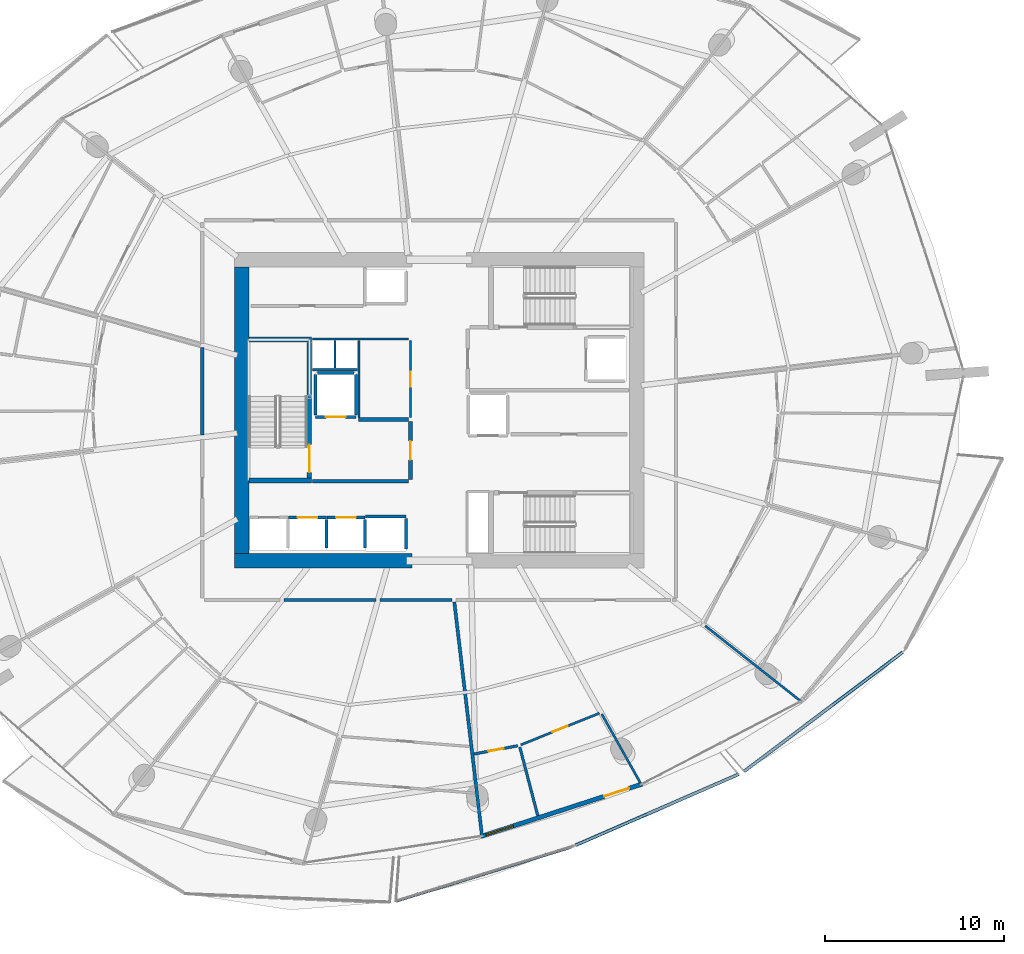
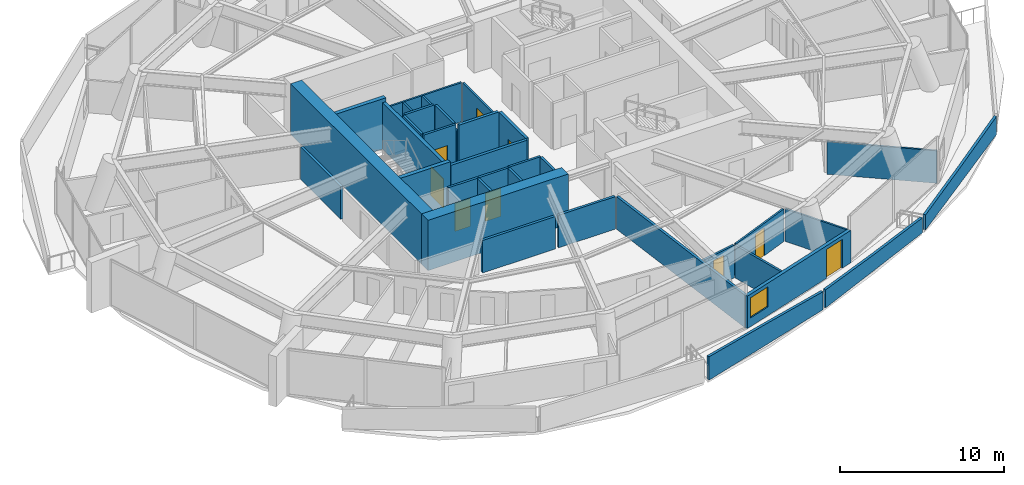
# One storey, part 12 of 23: 36 walls, 9 doors, 1 window, 10 openings.
"""IFC4 building model written with IfcOpenShell, lengths in metres."""

from ifc_helpers import new_model, si_unit, direction, frame, frame_2d, origin, place, context, subcontext, project, spatial, polyline, rectangle, outline, extrude, material, layer, layer_set, type_object, element, fill, save


model = new_model("IFC4")

# Units and contexts
model_context = context("Model", 3, precision=1e-05, world=origin(), true_north=direction((0.0, 1.0)))
body_context = subcontext(model_context, "Body", "Model", "MODEL_VIEW")
ifc_project = project(units=[si_unit("LENGTHUNIT", "METRE"), si_unit("AREAUNIT", "SQUARE_METRE"), si_unit("VOLUMEUNIT", "CUBIC_METRE"), si_unit("PLANEANGLEUNIT", "RADIAN"), si_unit("MASSUNIT", "GRAM", prefix="KILO")], contexts=[model_context])

# Site, building, storey
site_placement = place(None, origin())
site = spatial("IfcSite", under=ifc_project, at=site_placement, CompositionType="ELEMENT")
building_placement = place(site_placement, origin())
building = spatial("IfcBuilding", under=site, at=building_placement, Name="Kazma Halo Residences", CompositionType="ELEMENT")
storey_placement = place(building_placement, frame((0.0, 0.0, 112.64990234375)))
storey = spatial("IfcBuildingStorey", under=building, at=storey_placement, Name="L28", CompositionType="ELEMENT", Elevation=112.64990234375)

# Walls
ifc_material_1 = material(Name="White Concrete C50/60 Balustrade", Category="concrete")
ifc_layer_1 = layer(ifc_material_1, 0.179931640625)
ifc_layer_set_1 = layer_set([ifc_layer_1], Name="White Concrete C50/60 Balustrade")
wall_type_1 = type_object("IfcWallType", Name="WL-BAL-WAVE-180", PredefinedType="PARAPET", material=ifc_layer_set_1)
wall_1_placement = place(storey_placement, frame((46.011474609375, 14.594482421875, 0.0), z_axis=(0.0, 0.0, 1.0), x_axis=(0.955530222606, 0.294893190301, 0.0)))
element("IfcWall", 1, at=wall_1_placement, inside=storey, type_object=wall_type_1, Name="L28 white wave balustrade wall SSE.1", PredefinedType="PARAPET", context=body_context, shape_type="SweptSolid", body=[
    extrude(outline(polyline([(0.0, 0.0), (10.240966796875, 0.0), (10.240966796875, 1.34814453125), (5.12060546875, 1.56201171875), (0.0, 1.7470703125), (0.0, 0.0)])), frame((0.0, 0.08984375, 0.0), z_axis=(0.0, -1.0, 0.0), x_axis=(1.0, 0.0, 0.0)), (0.0, 0.0, 1.0), 0.179931640625),
])
wall_2_placement = place(storey_placement, frame((56.021728515625, 17.69775390625, 0.0), z_axis=(0.0, 0.0, 1.0), x_axis=(0.916910512906, 0.399092860527, 0.0)))
element("IfcWall", 2, at=wall_2_placement, inside=storey, type_object=wall_type_1, Name="L28 white wave balustrade wall SSE.2", PredefinedType="PARAPET", context=body_context, shape_type="SweptSolid", body=[
    extrude(outline(polyline([(0.0, 0.0), (9.954833984375, 0.0), (9.95458984375, 1.1201171875), (4.977294921875, 1.18212890625), (0.0, 1.34814453125), (0.0, 0.0)])), frame((0.0, 0.08984375, 0.0), z_axis=(0.0, -1.0, 0.0), x_axis=(1.0, 0.0, 0.0)), (0.0, 0.0, 1.0), 0.179931640625),
])
wall_3_placement = place(storey_placement, frame((65.44580078125, 21.82470703125, 0.0), z_axis=(0.0, 0.0, 1.0), x_axis=(0.799377932659, 0.600828528598, 0.0)))
element("IfcWall", 3, at=wall_3_placement, inside=storey, type_object=wall_type_1, Name="L28 white wave balustrade wall SE.1", PredefinedType="PARAPET", context=body_context, shape_type="SweptSolid", body=[
    extrude(outline(polyline([(0.0, 0.0), (11.0751953125, 0.0), (11.075439453125, 1.34814453125), (5.53759765625, 1.18212890625), (0.0, 1.1201171875), (0.0, 0.0)])), frame((0.0, 0.08984375, 0.0), z_axis=(0.0, -1.0, 0.0), x_axis=(1.0, 0.0, 0.0)), (0.0, 0.0, 1.0), 0.179931640625),
])
ifc_material_2 = material(Name="Concrete C80/95", Category="concrete")
ifc_layer_2 = layer(ifc_material_2, 0.800048828125)
ifc_layer_set_2 = layer_set([ifc_layer_2], Name="Concrete C80/95")
wall_type_2 = type_object("IfcWallType", Name="WL-CORE-800", PredefinedType="SHEAR", material=ifc_layer_set_2)
wall_4_placement = place(storey_placement, frame((37.0, 33.60009765625, 0.0), z_axis=(0.0, 0.0, 1.0), x_axis=(1.0, 0.0, 0.0)))
element("IfcWall", 4, at=wall_4_placement, inside=storey, type_object=wall_type_2, Name="L28 central core shear wall SW", PredefinedType="SHEAR", context=body_context, shape_type="SweptSolid", body=[
    extrude(rectangle(XDim=9.89990234375, YDim=0.800048828125, at=frame_2d((4.949951171875, 0.0))), origin(), (0.0, 0.0, 1.0), 3.75),
])
wall_5_placement = place(storey_placement, frame((37.39990234375, 34.0, 0.0), z_axis=(0.0, 0.0, 1.0), x_axis=(0.0, 1.0, 0.0)))
element("IfcWall", 5, at=wall_5_placement, inside=storey, type_object=wall_type_2, Name="L28 central core shear wall W", PredefinedType="SHEAR", context=body_context, shape_type="SweptSolid", body=[
    extrude(rectangle(XDim=16.0, YDim=0.800048828125, at=frame_2d((8.0, 0.0))), origin(), (0.0, 0.0, 1.0), 3.75),
])
ifc_material_3 = material(Name="Concrete C60/75", Category="concrete")
ifc_layer_3 = layer(ifc_material_3, 0.280029296875)
ifc_layer_set_3 = layer_set([ifc_layer_3], Name="Concrete C60/75")
wall_type_3 = type_object("IfcWallType", Name="WL-CORE-ST-280", PredefinedType="SHEAR", material=ifc_layer_set_3)
for number, where, z_axis, x_axis, name in (
    (6, (37.800048828125, 38.06005859375, 0.0), (0.0, 0.0, 1.0), (1.0, 0.0, 0.0), "L28 stairwell bearing wall ST01-S"),
    (7, (37.800048828125, 45.93994140625, 0.0), (0.0, 0.0, 1.0), (1.0, 0.0, 0.0), "L28 stairwell bearing wall ST01-N"),
):
    element("IfcWall", number, at=place(storey_placement, frame(where, z_axis=z_axis, x_axis=x_axis)), inside=storey, type_object=wall_type_3, Name=name, PredefinedType="SHEAR", context=body_context, shape_type="SweptSolid", body=[
        extrude(rectangle(XDim=3.5, YDim=0.280029296875, at=frame_2d((1.75, 0.0))), origin(), (0.0, 0.0, 1.0), 3.75),
    ])
ifc_material_4 = material(Name="Acoustic Twin-Stud Gypsum")
ifc_layer_4 = layer(ifc_material_4, 0.179931640625)
ifc_layer_set_4 = layer_set([ifc_layer_4], Name="Acoustic Twin-Stud Gypsum")
wall_type_4 = type_object("IfcWallType", Name="WL-DEM-180", PredefinedType="PARTITIONING", material=ifc_layer_set_4)
wall_6_placement = place(storey_placement, frame((49.267578125, 31.290771484375, 0.0), z_axis=(0.0, 0.0, 1.0), x_axis=(0.117532311618, -0.993069058891, 0.0)))
element("IfcWall", 8, at=wall_6_placement, inside=storey, type_object=wall_type_4, Name="L28 apartment demising radial wall 11", PredefinedType="PARTITIONING", context=body_context, shape_type="SweptSolid", body=[
    extrude(rectangle(XDim=13.138427734375, YDim=0.179931640625, at=frame_2d((6.5693359375, 0.0))), origin(), (0.0, 0.0, 1.0), 2.427001953125),
])
wall_7_placement = place(storey_placement, frame((35.199951171875, 45.489990234375, 0.0), z_axis=(0.0, 0.0, 1.0), x_axis=(0.0, -1.0, 0.0)))
element("IfcWall", 9, at=wall_7_placement, inside=storey, type_object=wall_type_4, Name="L28 Apartment 1 inner wall 6", PredefinedType="PARTITIONING", context=body_context, shape_type="SweptSolid", body=[
    extrude(rectangle(XDim=4.885009765625, YDim=0.179931640625, at=frame_2d((2.4423828125, 0.0))), origin(), (0.0, 0.0, 1.0), 2.427001953125),
])
wall_8_placement = place(storey_placement, frame((39.763671875, 31.39990234375, 0.0), z_axis=(0.0, 0.0, 1.0), x_axis=(1.0, 0.0, 0.0)))
element("IfcWall", 10, at=wall_8_placement, inside=storey, type_object=wall_type_4, Name="L28 Apartment 1 inner wall 9", PredefinedType="PARTITIONING", context=body_context, shape_type="SweptSolid", body=[
    extrude(rectangle(XDim=5.126708984375, YDim=0.179931640625, at=frame_2d((2.5634765625, 0.0))), origin(), (0.0, 0.0, 1.0), 2.427001953125),
])
wall_9_placement = place(storey_placement, frame((45.130615234375, 31.39990234375, 0.0), z_axis=(0.0, 0.0, 1.0), x_axis=(1.0, 0.0, 0.0)))
element("IfcWall", 11, at=wall_9_placement, inside=storey, type_object=wall_type_4, Name="L28 Apartment 1 inner wall 10", PredefinedType="PARTITIONING", context=body_context, shape_type="SweptSolid", body=[
    extrude(rectangle(XDim=4.00390625, YDim=0.179931640625, at=frame_2d((2.001953125, 0.0))), origin(), (0.0, 0.0, 1.0), 2.427001953125),
])

# Wall, openings, door, window
ifc_material_5 = material(Name="Insulated Pale-Metal Composite Wall")
ifc_layer_5 = layer(ifc_material_5, 0.239990234375)
ifc_layer_set_5 = layer_set([ifc_layer_5], Name="Insulated Pale-Metal Composite Wall")
wall_type_5 = type_object("IfcWallType", Name="WL-EXT-HOST-240", PredefinedType="SOLIDWALL", material=ifc_layer_set_5)
wall_10_placement = place(storey_placement, frame((50.76708984375, 18.202880859375, 0.0), z_axis=(0.0, 0.0, 1.0), x_axis=(0.951052494852, 0.30902937083, 0.0)))
wall_10 = element("IfcWall", 12, at=wall_10_placement, inside=storey, type_object=wall_type_5, Name="L28 exterior terrace-access wall B12", PredefinedType="SOLIDWALL", context=body_context, shape_type="SweptSolid", body=[
    extrude(rectangle(XDim=9.44384765625, YDim=0.239990234375, at=frame_2d((4.721923828125, 0.0))), origin(), (0.0, 0.0, 1.0), 2.420166015625),
])
opening_1_placement = place(wall_10_placement, frame((7.223876953125, 0.0, 0.0)))
opening_1 = element("IfcOpeningElement", 13, at=opening_1_placement, cuts=wall_10, Name="Opening DTR-1600", PredefinedType="OPENING", context=body_context, shape_type="SweptSolid", body=[
    extrude(rectangle(XDim=1.449951171875, YDim=2.14990234375, at=frame_2d((0.72509765625, 1.074951171875))), frame((0.0, 0.1298828125, 0.0), z_axis=(0.0, -1.0, 0.0), x_axis=(1.0, 0.0, 0.0)), (0.0, 0.0, 1.0), 0.260009765625),
])
opening_2_placement = place(wall_10_placement, frame((0.280029296875, 0.0, 0.64990234375)))
opening_2 = element("IfcOpeningElement", 14, at=opening_2_placement, cuts=wall_10, Name="Opening W-1800", PredefinedType="OPENING", context=body_context, shape_type="SweptSolid", body=[
    extrude(rectangle(XDim=1.60009765625, YDim=1.5, at=frame_2d((0.800048828125, 0.75))), frame((0.0, 0.1298828125, 0.0), z_axis=(0.0, -1.0, 0.0), x_axis=(1.0, 0.0, 0.0)), (0.0, 0.0, 1.0), 0.260009765625),
])
ifc_material_6 = material(Name="Aluminium AW-6063 T6 Double-Glazed Terrace Door", Category="aluminium")
door_type_1 = type_object("IfcDoorType", Name="DR-EXT-TERR-1600", OperationType="NOTDEFINED", PredefinedType="DOOR", material=ifc_material_6)
door_1_placement = place(opening_1_placement, origin())
door_1 = element("IfcDoor", 15, at=door_1_placement, inside=storey, type_object=door_type_1, Name="L28 B12 balcony terrace door", OperationType="DOUBLE_DOOR_SLIDING", OverallHeight=2.14990234375, OverallWidth=1.449951171875, PredefinedType="DOOR", context=body_context, shape_type="SweptSolid", body=[
    extrude(rectangle(XDim=1.449951171875, YDim=2.14990234375, at=frame_2d((0.72509765625, 1.074951171875))), frame((0.0, 0.02490234375, 0.0), z_axis=(0.0, -1.0, 0.0), x_axis=(1.0, 0.0, 0.0)), (0.0, 0.0, 1.0), 0.050048828125),
])
fill(opening_1, door_1)
ifc_material_7 = material(Name="Clear Triple-Silver Low-E Glass in Aluminium AW-6063 T6 Frame", Category="aluminium")
window_type = type_object("IfcWindowType", Name="WIN-RES-1800", PartitioningType="DOUBLE_PANEL_VERTICAL", PredefinedType="WINDOW", material=ifc_material_7)
window_placement = place(opening_2_placement, origin())
window = element("IfcWindow", 16, at=window_placement, inside=storey, type_object=window_type, Name="L28 B12 apartment window", OverallHeight=1.5, OverallWidth=1.60009765625, PartitioningType="SINGLE_PANEL", PredefinedType="WINDOW", context=body_context, shape_type="SweptSolid", body=[
    extrude(rectangle(XDim=1.60009765625, YDim=1.5, at=frame_2d((0.800048828125, 0.75))), frame((0.0, 0.030029296875, 0.0), z_axis=(0.0, -1.0, 0.0), x_axis=(1.0, 0.0, 0.0)), (0.0, 0.0, 1.0), 0.06005859375),
])
fill(opening_2, window)

# Wall, opening, door
ifc_material_8 = material(Name="Fire-Rated Blockwork Masonry", Category="masonry")
ifc_layer_6 = layer(ifc_material_8, 0.199951171875)
ifc_layer_set_6 = layer_set([ifc_layer_6], Name="Fire-Rated Blockwork Masonry")
wall_type_6 = type_object("IfcWallType", Name="WL-FLB-200", PredefinedType="PARTITIONING", material=ifc_layer_set_6)
wall_11_placement = place(storey_placement, frame((40.014892578125, 36.0048828125, 0.0), z_axis=(0.0, 0.0, 1.0), x_axis=(1.0, 0.0, 0.0)))
wall_11 = element("IfcWall", 17, at=wall_11_placement, inside=storey, type_object=wall_type_6, Name="L28 lift shaft PL-02 front wall", PredefinedType="PARTITIONING", context=body_context, shape_type="SweptSolid", body=[
    extrude(rectangle(XDim=2.110107421875, YDim=0.159912109375, at=frame_2d((1.05517578125, 0.0))), origin(), (0.0, 0.0, 1.0), 3.47021484375),
])
opening_3_placement = place(wall_11_placement, frame((0.5048828125, 0.0, 0.0)))
opening_3 = element("IfcOpeningElement", 18, at=opening_3_placement, cuts=wall_11, Name="Opening LD-PL-02", PredefinedType="OPENING", context=body_context, shape_type="SweptSolid", body=[
    extrude(rectangle(XDim=1.10009765625, YDim=2.10009765625, at=frame_2d((0.550048828125, 1.050048828125))), frame((0.0, 0.08984375, 0.0), z_axis=(0.0, -1.0, 0.0), x_axis=(1.0, 0.0, 0.0)), (0.0, 0.0, 1.0), 0.179931640625),
])
ifc_material_9 = material(Name="Stainless Steel Fire-Rated", Category="steel")
door_type_2 = type_object("IfcDoorType", Name="DR-LIFT-SLD-1100", OperationType="DOUBLE_DOOR_SLIDING", PredefinedType="DOOR", material=ifc_material_9)
door_2_placement = place(opening_3_placement, origin())
door_2 = element("IfcDoor", 19, at=door_2_placement, inside=storey, type_object=door_type_2, Name="L28 lift PL-02 sliding landing door", OperationType="DOUBLE_DOOR_SLIDING", OverallHeight=2.10009765625, OverallWidth=1.10009765625, PredefinedType="DOOR", context=body_context, shape_type="SweptSolid", body=[
    extrude(rectangle(XDim=1.10009765625, YDim=2.10009765625, at=frame_2d((0.550048828125, 1.050048828125))), frame((0.0, 0.02490234375, 0.0), z_axis=(0.0, -1.0, 0.0), x_axis=(1.0, 0.0, 0.0)), (0.0, 0.0, 1.0), 0.050048828125),
])
fill(opening_3, door_2)

# Wall
wall_12_placement = place(storey_placement, frame((42.125, 34.294921875, 0.0), z_axis=(0.0, 0.0, 1.0), x_axis=(0.0, 1.0, 0.0)))
element("IfcWall", 20, at=wall_12_placement, inside=storey, type_object=wall_type_6, Name="L28 lift shaft PL-02 side wall E", PredefinedType="PARTITIONING", context=body_context, shape_type="SweptSolid", body=[
    extrude(rectangle(XDim=1.610107421875, YDim=0.159912109375, at=frame_2d((0.80517578125, 0.0))), origin(), (0.0, 0.0, 1.0), 3.47021484375),
])

# Wall, opening, door
wall_13_placement = place(storey_placement, frame((42.1650390625, 36.0048828125, 0.0), z_axis=(0.0, 0.0, 1.0), x_axis=(1.0, 0.0, 0.0)))
wall_13 = element("IfcWall", 21, at=wall_13_placement, inside=storey, type_object=wall_type_6, Name="L28 lift shaft PL-03 front wall", PredefinedType="PARTITIONING", context=body_context, shape_type="SweptSolid", body=[
    extrude(rectangle(XDim=2.10986328125, YDim=0.159912109375, at=frame_2d((1.054931640625, 0.0))), origin(), (0.0, 0.0, 1.0), 3.47021484375),
])
opening_4_placement = place(wall_13_placement, frame((0.5048828125, 0.0, 0.0)))
opening_4 = element("IfcOpeningElement", 22, at=opening_4_placement, cuts=wall_13, Name="Opening LD-PL-03", PredefinedType="OPENING", context=body_context, shape_type="SweptSolid", body=[
    extrude(rectangle(XDim=1.10009765625, YDim=2.10009765625, at=frame_2d((0.550048828125, 1.050048828125))), frame((0.0, 0.08984375, 0.0), z_axis=(0.0, -1.0, 0.0), x_axis=(1.0, 0.0, 0.0)), (0.0, 0.0, 1.0), 0.179931640625),
])
door_3_placement = place(opening_4_placement, origin())
door_3 = element("IfcDoor", 23, at=door_3_placement, inside=storey, type_object=door_type_2, Name="L28 lift PL-03 sliding landing door", OperationType="DOUBLE_DOOR_SLIDING", OverallHeight=2.10009765625, OverallWidth=1.10009765625, PredefinedType="DOOR", context=body_context, shape_type="SweptSolid", body=[
    extrude(rectangle(XDim=1.10009765625, YDim=2.10009765625, at=frame_2d((0.550048828125, 1.050048828125))), frame((0.0, 0.02490234375, 0.0), z_axis=(0.0, -1.0, 0.0), x_axis=(1.0, 0.0, 0.0)), (0.0, 0.0, 1.0), 0.050048828125),
])
fill(opening_4, door_3)

# Walls
wall_14_placement = place(storey_placement, frame((44.27490234375, 34.294921875, 0.0), z_axis=(0.0, 0.0, 1.0), x_axis=(0.0, 1.0, 0.0)))
element("IfcWall", 24, at=wall_14_placement, inside=storey, type_object=wall_type_6, Name="L28 lift shaft PL-03 side wall E", PredefinedType="PARTITIONING", context=body_context, shape_type="SweptSolid", body=[
    extrude(rectangle(XDim=1.610107421875, YDim=0.159912109375, at=frame_2d((0.80517578125, 0.0))), origin(), (0.0, 0.0, 1.0), 3.47021484375),
])
wall_15_placement = place(storey_placement, frame((44.320068359375, 36.054931640625, 0.0), z_axis=(0.0, 0.0, 1.0), x_axis=(1.0, 0.0, 0.0)))
element("IfcWall", 25, at=wall_15_placement, inside=storey, type_object=wall_type_6, Name="L28 lift shaft PX-02 front wall", PredefinedType="PARTITIONING", context=body_context, shape_type="SweptSolid", body=[
    extrude(rectangle(XDim=2.260009765625, YDim=0.159912109375, at=frame_2d((1.1298828125, 0.0))), origin(), (0.0, 0.0, 1.0), 3.47021484375),
])
wall_16_placement = place(storey_placement, frame((46.580078125, 34.2451171875, 0.0), z_axis=(0.0, 0.0, 1.0), x_axis=(0.0, 1.0, 0.0)))
element("IfcWall", 26, at=wall_16_placement, inside=storey, type_object=wall_type_6, Name="L28 lift shaft PX-02 side wall E", PredefinedType="PARTITIONING", context=body_context, shape_type="SweptSolid", body=[
    extrude(rectangle(XDim=1.7099609375, YDim=0.159912109375, at=frame_2d((0.85498046875, 0.0))), origin(), (0.0, 0.0, 1.0), 3.47021484375),
])

# Wall, opening, door
wall_17_placement = place(storey_placement, frame((43.780029296875, 41.6201171875, 0.0), z_axis=(0.0, 0.0, 1.0), x_axis=(-1.0, 0.0, 0.0)))
wall_17 = element("IfcWall", 27, at=wall_17_placement, inside=storey, type_object=wall_type_6, Name="L28 lift shaft FL-01 front wall", PredefinedType="PARTITIONING", context=body_context, shape_type="SweptSolid", body=[
    extrude(rectangle(XDim=2.260009765625, YDim=0.159912109375, at=frame_2d((1.1298828125, 0.0))), origin(), (0.0, 0.0, 1.0), 3.47021484375),
])
opening_5_placement = place(wall_17_placement, frame((0.580078125, 0.0, 0.0)))
opening_5 = element("IfcOpeningElement", 28, at=opening_5_placement, cuts=wall_17, Name="Opening LD-FL-01", PredefinedType="OPENING", context=body_context, shape_type="SweptSolid", body=[
    extrude(rectangle(XDim=1.10009765625, YDim=2.10009765625, at=frame_2d((0.550048828125, 1.050048828125))), frame((0.0, 0.08984375, 0.0), z_axis=(0.0, -1.0, 0.0), x_axis=(1.0, 0.0, 0.0)), (0.0, 0.0, 1.0), 0.179931640625),
])
door_4_placement = place(opening_5_placement, origin())
door_4 = element("IfcDoor", 29, at=door_4_placement, inside=storey, type_object=door_type_2, Name="L28 lift FL-01 sliding landing door", OperationType="DOUBLE_DOOR_SLIDING", OverallHeight=2.10009765625, OverallWidth=1.10009765625, PredefinedType="DOOR", context=body_context, shape_type="SweptSolid", body=[
    extrude(rectangle(XDim=1.10009765625, YDim=2.10009765625, at=frame_2d((0.550048828125, 1.050048828125))), frame((0.0, 0.02490234375, 0.0), z_axis=(0.0, -1.0, 0.0), x_axis=(1.0, 0.0, 0.0)), (0.0, 0.0, 1.0), 0.050048828125),
])
fill(opening_5, door_4)

# Walls
for number, where, z_axis, x_axis, name in (
    (30, (43.780029296875, 41.719970703125, 0.0), (0.0, 0.0, 1.0), (0.0, 1.0, 0.0), "L28 lift shaft FL-01 side wall E"),
    (31, (41.52001953125, 41.719970703125, 0.0), (0.0, 0.0, 1.0), (0.0, 1.0, 0.0), "L28 lift shaft FL-01 side wall W"),
):
    element("IfcWall", number, at=place(storey_placement, frame(where, z_axis=z_axis, x_axis=x_axis)), inside=storey, type_object=wall_type_6, Name=name, PredefinedType="PARTITIONING", context=body_context, shape_type="SweptSolid", body=[
        extrude(rectangle(XDim=2.260009765625, YDim=0.159912109375, at=frame_2d((1.1298828125, 0.0))), origin(), (0.0, 0.0, 1.0), 3.47021484375),
    ])
wall_18_placement = place(storey_placement, frame((41.6201171875, 44.080078125, 0.0), z_axis=(0.0, 0.0, 1.0), x_axis=(1.0, 0.0, 0.0)))
element("IfcWall", 32, at=wall_18_placement, inside=storey, type_object=wall_type_6, Name="L28 lift shaft FL-01 side wall N", PredefinedType="PARTITIONING", context=body_context, shape_type="SweptSolid", body=[
    extrude(rectangle(XDim=2.059814453125, YDim=0.159912109375, at=frame_2d((1.02978515625, 0.0))), origin(), (0.0, 0.0, 1.0), 3.47021484375),
])
wall_19_placement = place(storey_placement, frame((41.35009765625, 38.02001953125, 0.0), z_axis=(0.0, 0.0, 1.0), x_axis=(1.0, 0.0, 0.0)))
element("IfcWall", 33, at=wall_19_placement, inside=storey, type_object=wall_type_6, Name="L28 west firefighting lobby south smoke wall", PredefinedType="PARTITIONING", context=body_context, shape_type="SweptSolid", body=[
    extrude(rectangle(XDim=5.369873046875, YDim=0.199951171875, at=frame_2d((2.68505859375, 0.0))), origin(), (0.0, 0.0, 1.0), 3.47021484375),
])
wall_20_placement = place(storey_placement, frame((43.919921875, 41.47998046875, 0.0), z_axis=(0.0, 0.0, 1.0), x_axis=(1.0, 0.0, 0.0)))
element("IfcWall", 34, at=wall_20_placement, inside=storey, type_object=wall_type_6, Name="L28 west firefighting lobby north smoke wall", PredefinedType="PARTITIONING", context=body_context, shape_type="SweptSolid", body=[
    extrude(rectangle(XDim=2.800048828125, YDim=0.199951171875, at=frame_2d((1.39990234375, 0.0))), origin(), (0.0, 0.0, 1.0), 3.47021484375),
])

# Wall, opening, door
wall_21_placement = place(storey_placement, frame((46.820068359375, 38.1201171875, 0.0), z_axis=(0.0, 0.0, 1.0), x_axis=(0.0, 1.0, 0.0)))
wall_21 = element("IfcWall", 35, at=wall_21_placement, inside=storey, type_object=wall_type_6, Name="L28 west firefighting lobby smoke wall", PredefinedType="PARTITIONING", context=body_context, shape_type="SweptSolid", body=[
    extrude(rectangle(XDim=3.259765625, YDim=0.199951171875, at=frame_2d((1.6298828125, 0.0))), origin(), (0.0, 0.0, 1.0), 3.47021484375),
])
opening_6_placement = place(wall_21_placement, frame((1.10498046875, 0.0, 0.0)))
opening_6 = element("IfcOpeningElement", 36, at=opening_6_placement, cuts=wall_21, Name="Opening D-FLW", PredefinedType="OPENING", context=body_context, shape_type="SweptSolid", body=[
    extrude(rectangle(XDim=1.050048828125, YDim=2.10009765625, at=frame_2d((0.52490234375, 1.050048828125))), frame((0.0, 0.10986328125, 0.0), z_axis=(0.0, -1.0, 0.0), x_axis=(1.0, 0.0, 0.0)), (0.0, 0.0, 1.0), 0.219970703125),
])
ifc_material_10 = material(Name="Fire-Rated Steel Leaf", Category="steel")
door_type_3 = type_object("IfcDoorType", Name="DR-FD90-1050", OperationType="NOTDEFINED", PredefinedType="DOOR", material=ifc_material_10)
door_5_placement = place(opening_6_placement, origin())
door_5 = element("IfcDoor", 37, at=door_5_placement, inside=storey, type_object=door_type_3, Name="L28 west firefighting lobby smoke door", OperationType="SINGLE_SWING_LEFT", OverallHeight=2.10009765625, OverallWidth=1.050048828125, PredefinedType="DOOR", context=body_context, shape_type="SweptSolid", body=[
    extrude(rectangle(XDim=1.050048828125, YDim=2.10009765625, at=frame_2d((0.52490234375, 1.050048828125))), frame((0.0, 0.02490234375, 0.0), z_axis=(0.0, -1.0, 0.0), x_axis=(1.0, 0.0, 0.0)), (0.0, 0.0, 1.0), 0.050048828125),
])
fill(opening_6, door_5)

# Walls
ifc_material_11 = material(Name="Gypsum Plasterboard Partition")
ifc_layer_7 = layer(ifc_material_11, 0.125)
ifc_layer_set_7 = layer_set([ifc_layer_7], Name="Gypsum Plasterboard Partition")
wall_type_7 = type_object("IfcWallType", Name="WL-PART-125", PredefinedType="PARTITIONING", material=ifc_layer_set_7)
wall_22_placement = place(storey_placement, frame((41.360107421875, 45.97998046875, 0.0), z_axis=(0.0, 0.0, 1.0), x_axis=(1.0, 0.0, 0.0)))
element("IfcWall", 38, at=wall_22_placement, inside=storey, type_object=wall_type_7, Name="L28 core north riser wall", PredefinedType="PARTITIONING", context=body_context, shape_type="SweptSolid", body=[
    extrude(rectangle(XDim=5.35986328125, YDim=0.125, at=frame_2d((2.679931640625, 0.0))), origin(), (0.0, 0.0, 1.0), 2.91015625),
])
wall_23_placement = place(storey_placement, frame((41.360107421875, 44.260009765625, 0.0), z_axis=(0.0, 0.0, 1.0), x_axis=(1.0, 0.0, 0.0)))
element("IfcWall", 39, at=wall_23_placement, inside=storey, type_object=wall_type_7, Name="L28 core riser south wall", PredefinedType="PARTITIONING", context=body_context, shape_type="SweptSolid", body=[
    extrude(rectangle(XDim=2.5, YDim=0.125, at=frame_2d((1.25, 0.0))), origin(), (0.0, 0.0, 1.0), 2.91015625),
])
wall_24_placement = place(storey_placement, frame((42.60009765625, 44.35009765625, 0.0), z_axis=(0.0, 0.0, 1.0), x_axis=(0.0, 1.0, 0.0)))
element("IfcWall", 40, at=wall_24_placement, inside=storey, type_object=wall_type_7, Name="L28 core riser divider wall", PredefinedType="PARTITIONING", context=body_context, shape_type="SweptSolid", body=[
    extrude(rectangle(XDim=1.5498046875, YDim=0.125, at=frame_2d((0.77490234375, 0.0))), origin(), (0.0, 0.0, 1.0), 2.91015625),
])
wall_25_placement = place(storey_placement, frame((43.949951171875, 41.580078125, 0.0), z_axis=(0.0, 0.0, 1.0), x_axis=(0.0, 1.0, 0.0)))
element("IfcWall", 41, at=wall_25_placement, inside=storey, type_object=wall_type_7, Name="L28 core service west wall", PredefinedType="PARTITIONING", context=body_context, shape_type="SweptSolid", body=[
    extrude(rectangle(XDim=4.31982421875, YDim=0.125, at=frame_2d((2.159912109375, 0.0))), origin(), (0.0, 0.0, 1.0), 2.91015625),
])

# Wall, opening, door
wall_26_placement = place(storey_placement, frame((46.820068359375, 41.580078125, 0.0), z_axis=(0.0, 0.0, 1.0), x_axis=(0.0, 1.0, 0.0)))
wall_26 = element("IfcWall", 42, at=wall_26_placement, inside=storey, type_object=wall_type_7, Name="L28 core service room east wall", PredefinedType="PARTITIONING", context=body_context, shape_type="SweptSolid", body=[
    extrude(rectangle(XDim=4.2998046875, YDim=0.125, at=frame_2d((2.14990234375, 0.0))), origin(), (0.0, 0.0, 1.0), 2.91015625),
])
opening_7_placement = place(wall_26_placement, frame((1.72509765625, 0.0, 0.0)))
opening_7 = element("IfcOpeningElement", 43, at=opening_7_placement, cuts=wall_26, Name="Opening DS-850", PredefinedType="OPENING", context=body_context, shape_type="SweptSolid", body=[
    extrude(rectangle(XDim=0.85009765625, YDim=2.06005859375, at=frame_2d((0.425048828125, 1.030029296875))), frame((0.0, 0.072509765625, 0.0), z_axis=(0.0, -1.0, 0.0), x_axis=(1.0, 0.0, 0.0)), (0.0, 0.0, 1.0), 0.14501953125),
])
ifc_material_12 = material(Name="Painted Steel Access Leaf", Category="steel")
door_type_4 = type_object("IfcDoorType", Name="DR-SVC-850", OperationType="NOTDEFINED", PredefinedType="DOOR", material=ifc_material_12)
door_6_placement = place(opening_7_placement, origin())
door_6 = element("IfcDoor", 44, at=door_6_placement, inside=storey, type_object=door_type_4, Name="L28 core service room door", OperationType="SINGLE_SWING_LEFT", OverallHeight=2.06005859375, OverallWidth=0.85009765625, PredefinedType="DOOR", context=body_context, shape_type="SweptSolid", body=[
    extrude(rectangle(XDim=0.85009765625, YDim=2.06005859375, at=frame_2d((0.425048828125, 1.030029296875))), frame((0.0, 0.02490234375, 0.0), z_axis=(0.0, -1.0, 0.0), x_axis=(1.0, 0.0, 0.0)), (0.0, 0.0, 1.0), 0.050048828125),
])
fill(opening_7, door_6)

# Wall
wall_27_placement = place(storey_placement, frame((57.504638671875, 25.0283203125, 0.0), z_axis=(0.0, 0.0, 1.0), x_axis=(0.488618677979, -0.872497442707, 0.0)))
element("IfcWall", 45, at=wall_27_placement, inside=storey, type_object=wall_type_7, Name="L28 Apartment 2 living radial partition 11", PredefinedType="PARTITIONING", context=body_context, shape_type="SweptSolid", body=[
    extrude(rectangle(XDim=4.370361328125, YDim=0.125, at=frame_2d((2.18505859375, 0.0))), origin(), (0.0, 0.0, 1.0), 2.427001953125),
])

# Wall, opening, door
wall_28_placement = place(storey_placement, frame((52.984375, 23.3125, 0.0), z_axis=(0.0, 0.0, 1.0), x_axis=(0.927438868519, 0.373974792145, 0.0)))
wall_28 = element("IfcWall", 46, at=wall_28_placement, inside=storey, type_object=wall_type_7, Name="L28 Apartment 2 Gourmet Kitchen hall wall", PredefinedType="PARTITIONING", context=body_context, shape_type="SweptSolid", body=[
    extrude(rectangle(XDim=4.72119140625, YDim=0.125, at=frame_2d((2.360595703125, 0.0))), origin(), (0.0, 0.0, 1.0), 2.427001953125),
])
opening_8_placement = place(wall_28_placement, frame((1.91064453125, 0.0, 0.0)))
opening_8 = element("IfcOpeningElement", 47, at=opening_8_placement, cuts=wall_28, Name="Opening DI-950", PredefinedType="OPENING", context=body_context, shape_type="SweptSolid", body=[
    extrude(rectangle(XDim=0.89990234375, YDim=2.080078125, at=frame_2d((0.449951171875, 1.0400390625))), frame((0.0, 0.072509765625, 0.0), z_axis=(0.0, -1.0, 0.0), x_axis=(1.0, 0.0, 0.0)), (0.0, 0.0, 1.0), 0.14501953125),
])
ifc_material_13 = material(Name="Timber Veneer Flush Leaf", Category="wood")
door_type_5 = type_object("IfcDoorType", Name="DR-INT-950", OperationType="NOTDEFINED", PredefinedType="DOOR", material=ifc_material_13)
door_7_placement = place(opening_8_placement, origin())
door_7 = element("IfcDoor", 48, at=door_7_placement, inside=storey, type_object=door_type_5, Name="L28 Apartment 2 Gourmet Kitchen door", OperationType="SINGLE_SWING_RIGHT", OverallHeight=2.080078125, OverallWidth=0.89990234375, PredefinedType="DOOR", context=body_context, shape_type="SweptSolid", body=[
    extrude(rectangle(XDim=0.89990234375, YDim=2.080078125, at=frame_2d((0.449951171875, 1.0400390625))), frame((0.0, 0.02490234375, 0.0), z_axis=(0.0, -1.0, 0.0), x_axis=(1.0, 0.0, 0.0)), (0.0, 0.0, 1.0), 0.050048828125),
])
fill(opening_8, door_7)

# Wall
wall_29_placement = place(storey_placement, frame((63.27587890625, 29.95751953125, 0.0), z_axis=(0.0, 0.0, 1.0), x_axis=(0.785296075508, -0.619120403308, 0.0)))
element("IfcWall", 49, at=wall_29_placement, inside=storey, type_object=wall_type_7, Name="L28 Apartment 2 radial partition 13", PredefinedType="PARTITIONING", context=body_context, shape_type="SweptSolid", body=[
    extrude(rectangle(XDim=6.7861328125, YDim=0.125, at=frame_2d((3.39306640625, 0.0))), origin(), (0.0, 0.0, 1.0), 2.427001953125),
])

# Wall, opening, door
ifc_material_14 = material(Name="Concrete C50/60", Category="concrete")
ifc_layer_8 = layer(ifc_material_14, 0.25)
ifc_layer_set_8 = layer_set([ifc_layer_8], Name="Concrete C50/60")
wall_type_8 = type_object("IfcWallType", Name="WL-SHF-250", PredefinedType="SOLIDWALL", material=ifc_layer_set_8)
wall_30_placement = place(storey_placement, frame((41.179931640625, 38.219970703125, 0.0), z_axis=(0.0, 0.0, 1.0), x_axis=(0.0, 1.0, 0.0)))
wall_30 = element("IfcWall", 50, at=wall_30_placement, inside=storey, type_object=wall_type_8, Name="L28 exit stair ST-01 enclosure wall", PredefinedType="SOLIDWALL", context=body_context, shape_type="SweptSolid", body=[
    extrude(rectangle(XDim=7.56005859375, YDim=0.25, at=frame_2d((3.780029296875, 0.0))), origin(), (0.0, 0.0, 1.0), 3.47021484375),
])
opening_9_placement = place(wall_30_placement, frame((0.300048828125, 0.0, 0.0)))
opening_9 = element("IfcOpeningElement", 51, at=opening_9_placement, cuts=wall_30, Name="Opening D-ST1", PredefinedType="OPENING", context=body_context, shape_type="SweptSolid", body=[
    extrude(rectangle(XDim=1.550048828125, YDim=2.14990234375, at=frame_2d((0.77490234375, 1.074951171875))), frame((0.0, 0.135009765625, 0.0), z_axis=(0.0, -1.0, 0.0), x_axis=(1.0, 0.0, 0.0)), (0.0, 0.0, 1.0), 0.27001953125),
])
ifc_material_15 = material(Name="Fire-Rated Double Steel Leaf", Category="steel")
door_type_6 = type_object("IfcDoorType", Name="DR-FD90-1550", OperationType="NOTDEFINED", PredefinedType="DOOR", material=ifc_material_15)
door_8_placement = place(opening_9_placement, origin())
door_8 = element("IfcDoor", 52, at=door_8_placement, inside=storey, type_object=door_type_6, Name="L28 exit stair ST-01 fire door", OperationType="DOUBLE_DOOR_SINGLE_SWING", OverallHeight=2.14990234375, OverallWidth=1.550048828125, PredefinedType="DOOR", context=body_context, shape_type="SweptSolid", body=[
    extrude(rectangle(XDim=1.550048828125, YDim=2.14990234375, at=frame_2d((0.77490234375, 1.074951171875))), frame((0.0, 0.02490234375, 0.0), z_axis=(0.0, -1.0, 0.0), x_axis=(1.0, 0.0, 0.0)), (0.0, 0.0, 1.0), 0.050048828125),
])
fill(opening_9, door_8)

ifc_material_16 = material(Name="Moisture-Resistant Gypsum")
ifc_layer_9 = layer(ifc_material_16, 0.14990234375)
ifc_layer_set_9 = layer_set([ifc_layer_9], Name="Moisture-Resistant Gypsum")
wall_type_9 = type_object("IfcWallType", Name="WL-WET-150", PredefinedType="PARTITIONING", material=ifc_layer_set_9)
wall_31_placement = place(storey_placement, frame((50.372802734375, 22.80078125, 0.0), z_axis=(0.0, 0.0, 1.0), x_axis=(0.982580437485, 0.185837789137, 0.0)))
wall_31 = element("IfcWall", 53, at=wall_31_placement, inside=storey, type_object=wall_type_9, Name="L28 Apartment 2 Guest Bathroom hall wall", PredefinedType="PARTITIONING", context=body_context, shape_type="SweptSolid", body=[
    extrude(rectangle(XDim=2.48291015625, YDim=0.14990234375, at=frame_2d((1.241455078125, 0.0))), origin(), (0.0, 0.0, 1.0), 2.427001953125),
])
opening_10_placement = place(wall_31_placement, frame((0.81640625, 0.0, 0.0)))
opening_10 = element("IfcOpeningElement", 54, at=opening_10_placement, cuts=wall_31, Name="Opening DB-900", PredefinedType="OPENING", context=body_context, shape_type="SweptSolid", body=[
    extrude(rectangle(XDim=0.85009765625, YDim=2.06005859375, at=frame_2d((0.425048828125, 1.030029296875))), frame((0.0, 0.0849609375, 0.0), z_axis=(0.0, -1.0, 0.0), x_axis=(1.0, 0.0, 0.0)), (0.0, 0.0, 1.0), 0.169921875),
])
ifc_material_17 = material(Name="Moisture-Sealed Timber Leaf", Category="wood")
door_type_7 = type_object("IfcDoorType", Name="DR-BTH-900", OperationType="NOTDEFINED", PredefinedType="DOOR", material=ifc_material_17)
door_9_placement = place(opening_10_placement, origin())
door_9 = element("IfcDoor", 55, at=door_9_placement, inside=storey, type_object=door_type_7, Name="L28 Apartment 2 Guest Bathroom door", OperationType="SINGLE_SWING_RIGHT", OverallHeight=2.06005859375, OverallWidth=0.85009765625, PredefinedType="DOOR", context=body_context, shape_type="SweptSolid", body=[
    extrude(rectangle(XDim=0.85009765625, YDim=2.06005859375, at=frame_2d((0.425048828125, 1.030029296875))), frame((0.0, 0.02490234375, 0.0), z_axis=(0.0, -1.0, 0.0), x_axis=(1.0, 0.0, 0.0)), (0.0, 0.0, 1.0), 0.050048828125),
])
fill(opening_10, door_9)

# Wall
wall_32_placement = place(storey_placement, frame((52.923583984375, 23.19189453125, 0.0), z_axis=(0.0, 0.0, 1.0), x_axis=(0.253254995503, -0.967399559258, 0.0)))
element("IfcWall", 56, at=wall_32_placement, inside=storey, type_object=wall_type_9, Name="L28 Apartment 2 Guest Bathroom side wall", PredefinedType="PARTITIONING", context=body_context, shape_type="SweptSolid", body=[
    extrude(rectangle(XDim=3.960205078125, YDim=0.14990234375, at=frame_2d((1.97998046875, 0.0))), origin(), (0.0, 0.0, 1.0), 2.445068359375),
])

save(model, "model.ifc")
